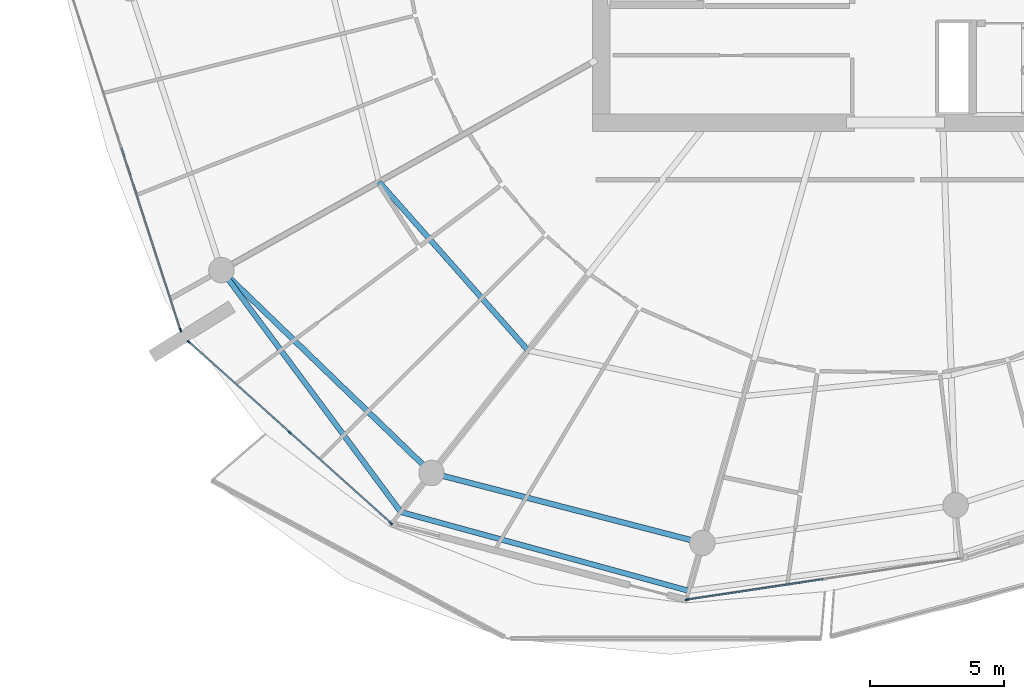
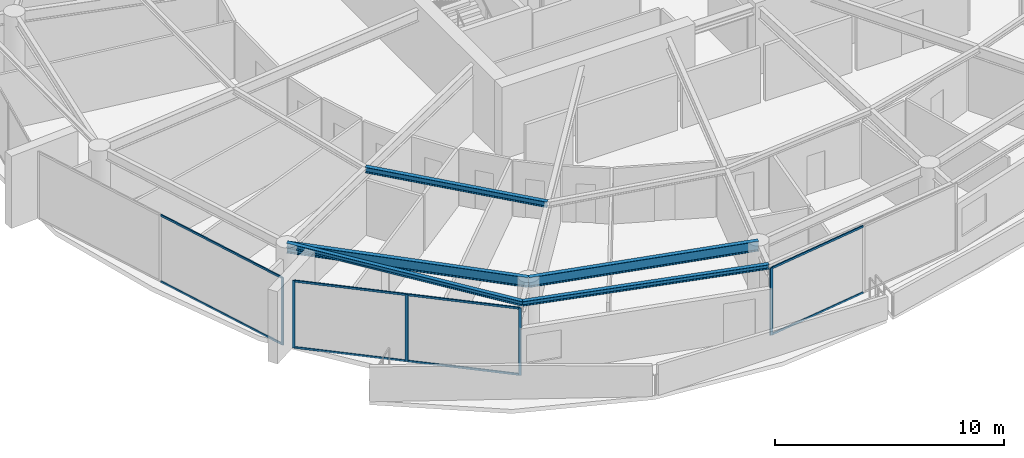
# One storey, part 6 of 31: 13 members, 5 beams, 3 elements without a shape of their own.
"""IFC4 building model written with IfcOpenShell, lengths in metres."""

from ifc_helpers import new_model, si_unit, direction, frame, origin, origin_2d, place, context, subcontext, project, spatial, rectangle, i_section, extrude, material, layer, layer_set, material_profile, profile_set, type_object, element, aggregate, save


model = new_model("IFC4")

# Units and contexts
model_context = context("Model", 3, precision=1e-05, world=origin(), true_north=direction((0.0, 1.0)))
body_context = subcontext(model_context, "Body", "Model", "MODEL_VIEW")
ifc_project = project(units=[si_unit("LENGTHUNIT", "METRE"), si_unit("AREAUNIT", "SQUARE_METRE"), si_unit("VOLUMEUNIT", "CUBIC_METRE"), si_unit("PLANEANGLEUNIT", "RADIAN"), si_unit("MASSUNIT", "GRAM", prefix="KILO")], contexts=[model_context])

# Site, building, storey
site_placement = place(None, origin())
site = spatial("IfcSite", under=ifc_project, at=site_placement, CompositionType="ELEMENT")
building_placement = place(site_placement, origin())
building = spatial("IfcBuilding", under=site, at=building_placement, Name="Kazma Halo Residences", CompositionType="ELEMENT")
storey_placement = place(building_placement, frame((0.0, 0.0, 248.25)))
storey = spatial("IfcBuildingStorey", under=building, at=storey_placement, Name="L62", CompositionType="ELEMENT", Elevation=248.25)

# Beams
ifc_material_1 = material(Name="Steel S355", Category="steel")
ifc_material_profile_1 = material_profile(ifc_material_1, i_section(OverallWidth=0.201904296875, OverallDepth=0.2470703125, WebThickness=0.00732421875, FlangeThickness=0.010986328125, FilletRadius=0.011962890625, at=origin_2d()), Name="W250x49.1")
ifc_profile_set_1 = profile_set([ifc_material_profile_1], Name="Steel S355")
beam_type_1 = type_object("IfcBeamType", Name="BM-BAL-CANT", PredefinedType="BEAM", material=ifc_profile_set_1)
beam_1_placement = place(storey_placement, frame((23.32958984375, 28.18408203125, 3.466552734375), z_axis=(0.595556062515, -0.803313747176, 0.0), x_axis=(0.803313747176, 0.595556062515, 0.0)))
element("IfcBeam", 1, at=beam_1_placement, inside=storey, type_object=beam_type_1, Name="L62 wave-balcony lead tie beam 09", PredefinedType="BEAM", context=body_context, shape_type="SweptSolid", body=[
    extrude(i_section(OverallWidth=0.201904296875, OverallDepth=0.2470703125, WebThickness=0.00732421875, FlangeThickness=0.010986328125, FilletRadius=0.011962890625, at=origin_2d()), origin(), (0.0, 0.0, 1.0), 11.213134765625),
])
beam_2_placement = place(storey_placement, frame((30.007568359375, 19.176513671875, 3.466552734375), z_axis=(0.964514665976, -0.264029277006, 0.0), x_axis=(0.264029277006, 0.964514665976, 0.0)))
element("IfcBeam", 2, at=beam_2_placement, inside=storey, type_object=beam_type_1, Name="L62 wave-balcony tie beam 10", PredefinedType="BEAM", context=body_context, shape_type="SweptSolid", body=[
    extrude(i_section(OverallWidth=0.201904296875, OverallDepth=0.2470703125, WebThickness=0.00732421875, FlangeThickness=0.010986328125, FilletRadius=0.011962890625, at=origin_2d()), origin(), (0.0, 0.0, 1.0), 11.1220703125),
])
ifc_material_profile_2 = material_profile(ifc_material_1, i_section(OverallWidth=0.202880859375, OverallDepth=0.302978515625, WebThickness=0.007568359375, FlangeThickness=0.01318359375, FilletRadius=0.013916015625, at=origin_2d()), Name="W310x60")
ifc_profile_set_2 = profile_set([ifc_material_profile_2], Name="Steel S355")
beam_type_2 = type_object("IfcBeamType", Name="BM-SEC-W310A", PredefinedType="JOIST", material=ifc_profile_set_2)
beam_3_placement = place(storey_placement, frame((29.197265625, 31.469970703125, 3.4384765625), z_axis=(0.662539311942, -0.749027142453, 0.0), x_axis=(0.749027142453, 0.662539311942, 0.0)))
element("IfcBeam", 3, at=beam_3_placement, inside=storey, type_object=beam_type_2, Name="L62 circumferential floor joist 09", PredefinedType="JOIST", context=body_context, shape_type="SweptSolid", body=[
    extrude(i_section(OverallWidth=0.202880859375, OverallDepth=0.302978515625, WebThickness=0.007568359375, FlangeThickness=0.01318359375, FilletRadius=0.013916015625, at=origin_2d()), origin(), (0.0, 0.0, 1.0), 8.381103515625),
])
ifc_material_profile_3 = material_profile(ifc_material_1, i_section(OverallWidth=0.208984375, OverallDepth=0.532958984375, WebThickness=0.01025390625, FlangeThickness=0.015625, FilletRadius=0.01611328125, at=origin_2d()), Name="W530x92")
ifc_profile_set_3 = profile_set([ifc_material_profile_3], Name="Steel S355")
beam_type_3 = type_object("IfcBeamType", Name="BM-SPN-W530", PredefinedType="BEAM", material=ifc_profile_set_3)
beam_4_placement = place(storey_placement, frame((23.32958984375, 28.18408203125, 3.323486328125), z_axis=(0.719345757929, -0.694652201141, 0.0), x_axis=(0.694652201141, 0.719345757929, 0.0)))
element("IfcBeam", 4, at=beam_4_placement, inside=storey, type_object=beam_type_3, Name="L62 perimeter ring beam 09", PredefinedType="BEAM", context=body_context, shape_type="SweptSolid", body=[
    extrude(i_section(OverallWidth=0.208984375, OverallDepth=0.532958984375, WebThickness=0.01025390625, FlangeThickness=0.015625, FilletRadius=0.01611328125, at=origin_2d()), origin(), (0.0, 0.0, 1.0), 10.87548828125),
])
beam_5_placement = place(storey_placement, frame((31.15283203125, 20.62939453125, 3.323486328125), z_axis=(0.968126042852, -0.250463500639, 0.0), x_axis=(0.250463500639, 0.968126042852, 0.0)))
element("IfcBeam", 5, at=beam_5_placement, inside=storey, type_object=beam_type_3, Name="L62 perimeter ring beam 10", PredefinedType="BEAM", context=body_context, shape_type="SweptSolid", body=[
    extrude(i_section(OverallWidth=0.208984375, OverallDepth=0.532958984375, WebThickness=0.01025390625, FlangeThickness=0.015625, FilletRadius=0.01611328125, at=origin_2d()), origin(), (0.0, 0.0, 1.0), 10.416259765625),
])

# Curtain wall, member
ifc_material_2 = material(Name="Aluminium AW-6063 T6 and Triple-Silver Low-E Glass", Category="aluminium")
ifc_layer = layer(ifc_material_2, 0.139892578125)
ifc_layer_set = layer_set([ifc_layer], Name="Aluminium AW-6063 T6 and Triple-Silver Low-E Glass")
curtain_wall_type = type_object("IfcCurtainWallType", Name="CW-SYS-5", PredefinedType="NOTDEFINED", material=ifc_layer_set)
curtain_wall_1_placement = place(storey_placement, origin())
curtain_wall_1 = element("IfcCurtainWall", 6, at=curtain_wall_1_placement, inside=storey, type_object=curtain_wall_type, Name="L62 unitised curtain wall B08", PredefinedType="NOTDEFINED")
ifc_material_3 = material(Name="Aluminium AW-6063 T6", Category="aluminium")
ifc_material_profile_4 = material_profile(ifc_material_3, rectangle(XDim=0.06005859375, YDim=0.139892578125, at=origin_2d()), Name="CWM-60x140")
ifc_profile_set_4 = profile_set([ifc_material_profile_4], Name="Aluminium AW-6063 T6")
member_type_1 = type_object("IfcMemberType", Name="CW-SYS-5-MUL", PredefinedType="MULLION", material=ifc_profile_set_4)
member_1_placement = place(storey_placement, frame((21.8076171875, 25.9521484375, 0.0), z_axis=(0.0, 0.0, 1.0), x_axis=(0.951058464359, 0.309010998786, 0.0)))
member_1 = element("IfcMember", 7, at=member_1_placement, type_object=member_type_1, Name="CWS-5 mullion 3", PredefinedType="MULLION", context=body_context, shape_type="SweptSolid", body=[
    extrude(rectangle(XDim=0.06005859375, YDim=0.139892578125, at=origin_2d()), origin(), (0.0, 0.0, 1.0), 3.590087890625),
])

# Curtain wall, members
curtain_wall_2_placement = place(storey_placement, origin())
curtain_wall_2 = element("IfcCurtainWall", 8, at=curtain_wall_2_placement, inside=storey, type_object=curtain_wall_type, Name="L62 unitised curtain wall B09", PredefinedType="NOTDEFINED")
member_2_placement = place(storey_placement, frame((22.11669921875, 25.508056640625, 0.0), z_axis=(0.0, 0.0, 1.0), x_axis=(0.667804826958, 0.744336424671, 0.0)))
member_2 = element("IfcMember", 9, at=member_2_placement, type_object=member_type_1, Name="CWS-5 mullion 1", PredefinedType="MULLION", context=body_context, shape_type="SweptSolid", body=[
    extrude(rectangle(XDim=0.06005859375, YDim=0.139892578125, at=origin_2d()), origin(), (0.0, 0.0, 1.0), 3.590087890625),
])
member_3_placement = place(storey_placement, frame((25.878173828125, 22.13330078125, 0.0), z_axis=(0.0, 0.0, 1.0), x_axis=(0.667804826958, 0.744336424671, 0.0)))
member_3 = element("IfcMember", 10, at=member_3_placement, type_object=member_type_1, Name="CWS-5 mullion 2", PredefinedType="MULLION", context=body_context, shape_type="SweptSolid", body=[
    extrude(rectangle(XDim=0.06005859375, YDim=0.139892578125, at=origin_2d()), origin(), (0.0, 0.0, 1.0), 3.590087890625),
])
member_4_placement = place(storey_placement, frame((29.6396484375, 18.758544921875, 0.0), z_axis=(0.0, 0.0, 1.0), x_axis=(0.667804826958, 0.744336424671, 0.0)))
member_4 = element("IfcMember", 11, at=member_4_placement, type_object=member_type_1, Name="CWS-5 mullion 3", PredefinedType="MULLION", context=body_context, shape_type="SweptSolid", body=[
    extrude(rectangle(XDim=0.06005859375, YDim=0.139892578125, at=origin_2d()), origin(), (0.0, 0.0, 1.0), 3.590087890625),
])

# Curtain wall, member
curtain_wall_3_placement = place(storey_placement, origin())
curtain_wall_3 = element("IfcCurtainWall", 12, at=curtain_wall_3_placement, inside=storey, type_object=curtain_wall_type, Name="L62 unitised curtain wall B11", PredefinedType="NOTDEFINED")
member_5_placement = place(storey_placement, frame((40.671142578125, 15.912841796875, 0.0), z_axis=(0.0, 0.0, 1.0), x_axis=(-0.148697080374, 0.988882792998, 0.0)))
member_5 = element("IfcMember", 13, at=member_5_placement, type_object=member_type_1, Name="CWS-5 mullion 1", PredefinedType="MULLION", context=body_context, shape_type="SweptSolid", body=[
    extrude(rectangle(XDim=0.06005859375, YDim=0.139892578125, at=origin_2d()), origin(), (0.0, 0.0, 1.0), 3.590087890625),
])

# Member
ifc_material_profile_5 = material_profile(ifc_material_3, rectangle(XDim=0.06005859375, YDim=0.10498046875, at=origin_2d()), Name="CWT-60x105")
ifc_profile_set_5 = profile_set([ifc_material_profile_5], Name="Aluminium AW-6063 T6")
member_type_2 = type_object("IfcMemberType", Name="CW-SYS-5-TRN", PredefinedType="USERDEFINED", material=ifc_profile_set_5)
member_6_placement = place(storey_placement, frame((19.6015625, 32.7412109375, 0.030029296875), z_axis=(0.309027052142, -0.95105324827, 0.0), x_axis=(0.95105324827, 0.309027052142, 0.0)))
member_6 = element("IfcMember", 14, at=member_6_placement, type_object=member_type_2, Name="CWS-5 transom 2.1", ObjectType="TRANSOM", PredefinedType="USERDEFINED", context=body_context, shape_type="SweptSolid", body=[
    extrude(rectangle(XDim=0.06005859375, YDim=0.10498046875, at=origin_2d()), origin(), (0.0, 0.0, 1.0), 7.108642578125),
])

member_7_placement = place(storey_placement, frame((19.6015625, 32.7412109375, 3.56005859375), z_axis=(0.309027052142, -0.95105324827, 0.0), x_axis=(0.95105324827, 0.309027052142, 0.0)))
member_7 = element("IfcMember", 15, at=member_7_placement, type_object=member_type_2, Name="CWS-5 transom 2.2", ObjectType="TRANSOM", PredefinedType="USERDEFINED", context=body_context, shape_type="SweptSolid", body=[
    extrude(rectangle(XDim=0.06005859375, YDim=0.10498046875, at=origin_2d()), origin(), (0.0, 0.0, 1.0), 7.108642578125),
])

aggregate(curtain_wall_1, [member_1, member_6, member_7])

member_8_placement = place(storey_placement, frame((22.138916015625, 25.488037109375, 0.030029296875), z_axis=(0.744328897483, -0.667813216679, 0.0), x_axis=(0.667813216679, 0.744328897483, 0.0)))
member_8 = element("IfcMember", 16, at=member_8_placement, type_object=member_type_2, Name="CWS-5 transom 1.1", ObjectType="TRANSOM", PredefinedType="USERDEFINED", context=body_context, shape_type="SweptSolid", body=[
    extrude(rectangle(XDim=0.06005859375, YDim=0.10498046875, at=origin_2d()), origin(), (0.0, 0.0, 1.0), 4.993408203125),
])

member_9_placement = place(storey_placement, frame((22.138916015625, 25.488037109375, 3.56005859375), z_axis=(0.744328897483, -0.667813216679, 0.0), x_axis=(0.667813216679, 0.744328897483, 0.0)))
member_9 = element("IfcMember", 17, at=member_9_placement, type_object=member_type_2, Name="CWS-5 transom 1.2", ObjectType="TRANSOM", PredefinedType="USERDEFINED", context=body_context, shape_type="SweptSolid", body=[
    extrude(rectangle(XDim=0.06005859375, YDim=0.10498046875, at=origin_2d()), origin(), (0.0, 0.0, 1.0), 4.993408203125),
])

member_10_placement = place(storey_placement, frame((25.900390625, 22.11328125, 0.030029296875), z_axis=(0.744350700793, -0.667788914425, 0.0), x_axis=(0.667788914425, 0.744350700793, 0.0)))
member_10 = element("IfcMember", 18, at=member_10_placement, type_object=member_type_2, Name="CWS-5 transom 2.1", ObjectType="TRANSOM", PredefinedType="USERDEFINED", context=body_context, shape_type="SweptSolid", body=[
    extrude(rectangle(XDim=0.06005859375, YDim=0.10498046875, at=origin_2d()), origin(), (0.0, 0.0, 1.0), 4.99365234375),
])

member_11_placement = place(storey_placement, frame((25.900390625, 22.11328125, 3.56005859375), z_axis=(0.744350700793, -0.667788914425, 0.0), x_axis=(0.667788914425, 0.744350700793, 0.0)))
member_11 = element("IfcMember", 19, at=member_11_placement, type_object=member_type_2, Name="CWS-5 transom 2.2", ObjectType="TRANSOM", PredefinedType="USERDEFINED", context=body_context, shape_type="SweptSolid", body=[
    extrude(rectangle(XDim=0.06005859375, YDim=0.10498046875, at=origin_2d()), origin(), (0.0, 0.0, 1.0), 4.99365234375),
])

aggregate(curtain_wall_2, [member_2, member_3, member_4, member_8, member_9, member_10, member_11])

member_12_placement = place(storey_placement, frame((40.70068359375, 15.917236328125, 0.030029296875), z_axis=(0.988883972013, 0.148689239341, 0.0), x_axis=(-0.148689239341, 0.988883972013, 0.0)))
member_12 = element("IfcMember", 20, at=member_12_placement, type_object=member_type_2, Name="CWS-5 transom 1.1", ObjectType="TRANSOM", PredefinedType="USERDEFINED", context=body_context, shape_type="SweptSolid", body=[
    extrude(rectangle(XDim=0.06005859375, YDim=0.10498046875, at=origin_2d()), origin(), (0.0, 0.0, 1.0), 5.099853515625),
])

member_13_placement = place(storey_placement, frame((40.70068359375, 15.917236328125, 3.56005859375), z_axis=(0.988883972013, 0.148689239341, 0.0), x_axis=(-0.148689239341, 0.988883972013, 0.0)))
member_13 = element("IfcMember", 21, at=member_13_placement, type_object=member_type_2, Name="CWS-5 transom 1.2", ObjectType="TRANSOM", PredefinedType="USERDEFINED", context=body_context, shape_type="SweptSolid", body=[
    extrude(rectangle(XDim=0.06005859375, YDim=0.10498046875, at=origin_2d()), origin(), (0.0, 0.0, 1.0), 5.099853515625),
])

aggregate(curtain_wall_3, [member_5, member_12, member_13])

save(model, "model.ifc")
